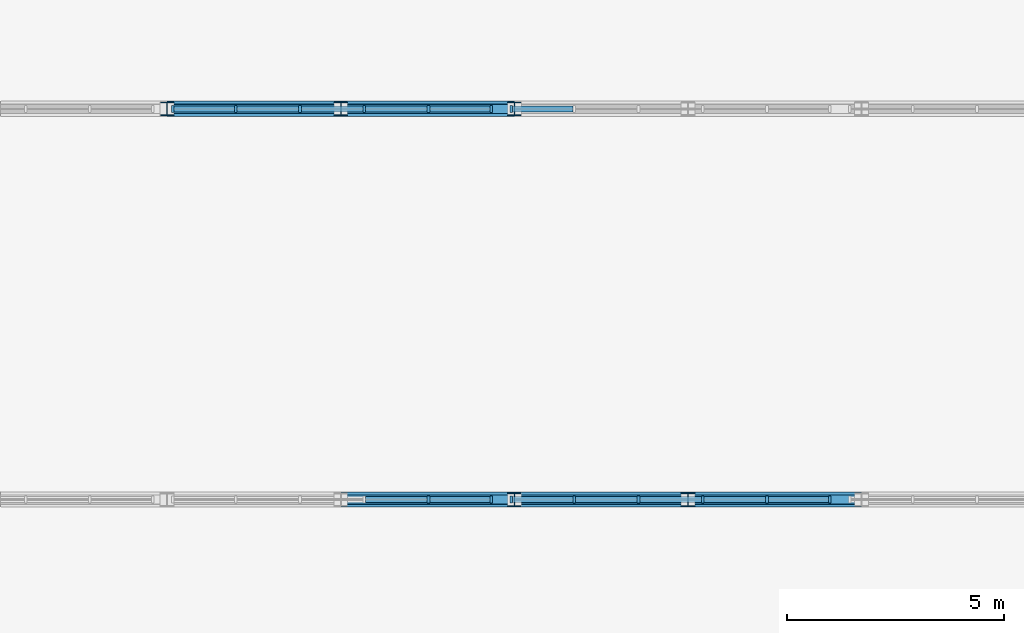
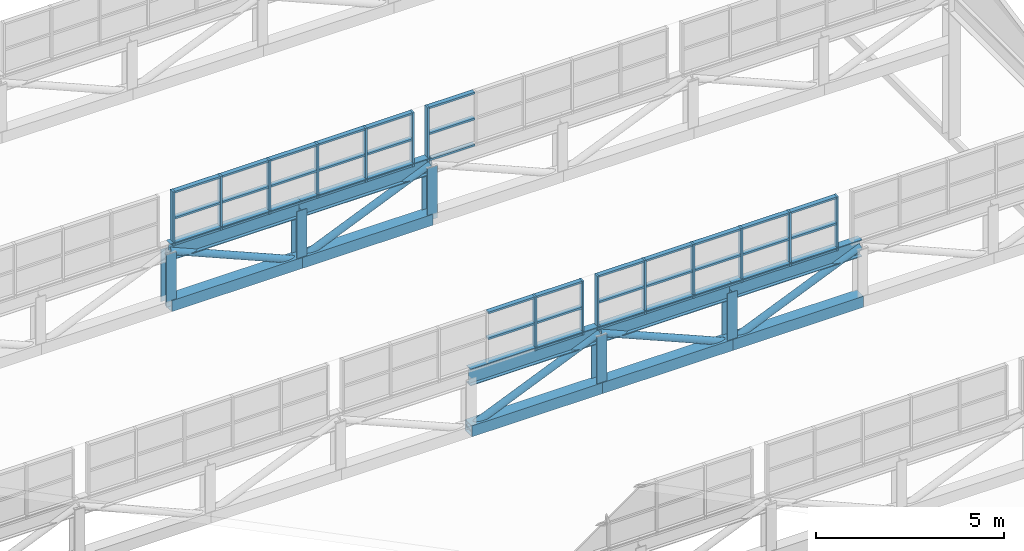
# One storey, part 90 of 159: 73 members, 4 elements without a shape of their own.
"""IFC4 building model written with IfcOpenShell, lengths in metres."""

from ifc_helpers import new_model, si_unit, direction, frame, origin, origin_2d, place, context, subcontext, project, spatial, rectangle, hollow_rectangle, hollow_circle, i_section, extrude, material, layer, layer_set, material_profile, profile_set, type_object, element, aggregate, save


model = new_model("IFC4")

# Units and contexts
model_context = context("Model", 3, precision=1e-05, world=origin(), true_north=direction((0.0, 1.0)))
body_context = subcontext(model_context, "Body", "Model", "MODEL_VIEW")
ifc_project = project(units=[si_unit("LENGTHUNIT", "METRE"), si_unit("AREAUNIT", "SQUARE_METRE"), si_unit("VOLUMEUNIT", "CUBIC_METRE"), si_unit("PLANEANGLEUNIT", "RADIAN"), si_unit("MASSUNIT", "GRAM", prefix="KILO")], contexts=[model_context])

# Site, building, storey
site_placement = place(None, origin())
site = spatial("IfcSite", under=ifc_project, at=site_placement, CompositionType="ELEMENT")
building_placement = place(site_placement, origin())
building = spatial("IfcBuilding", under=site, at=building_placement, Name="Cazmaro Siding Exhibition Halls", CompositionType="ELEMENT")
storey_placement = place(building_placement, frame((0.0, 0.0, 6.0)))
storey = spatial("IfcBuildingStorey", under=building, at=storey_placement, Name="L01", CompositionType="ELEMENT", Elevation=6.0)

# Curtain wall, members
ifc_material_1 = material(Name="Anodized Bronze Aluminum and Solar-Control Low-E Glazing", Category="aluminium")
ifc_layer = layer(ifc_material_1, 0.159912109375)
ifc_layer_set = layer_set([ifc_layer], Name="Anodized Bronze Aluminum and Solar-Control Low-E Glazing")
curtain_wall_type = type_object("IfcCurtainWallType", Name="CWS-04", PredefinedType="USERDEFINED", material=ifc_layer_set)
curtain_wall_1_placement = place(storey_placement, origin())
curtain_wall_1 = element("IfcCurtainWall", 1, at=curtain_wall_1_placement, inside=storey, type_object=curtain_wall_type, Name="Clerestory Curtain Wall CWS-04 CW-127", ObjectType="CLERESTORY CURTAIN WALL", PredefinedType="USERDEFINED")
ifc_material_2 = material(Name="Anodized Bronze Extruded Aluminum", Category="aluminium")
ifc_material_profile_1 = material_profile(ifc_material_2, rectangle(XDim=0.159912109375, YDim=0.06005859375, at=origin_2d()), Name="CWM-04")
ifc_profile_set_1 = profile_set([ifc_material_profile_1], Name="Anodized Bronze Extruded Aluminum")
member_type_1 = type_object("IfcMemberType", Name="CWM-04", PredefinedType="MULLION", material=ifc_profile_set_1)
member_1_placement = place(storey_placement, frame((199.469970703125, 100.0, 4.800048828125), z_axis=(0.0, 0.0, 1.0), x_axis=(0.0, -1.0, 0.0)))
member_1 = element("IfcMember", 2, at=member_1_placement, type_object=member_type_1, Name="CWS-04 mullion 1", PredefinedType="MULLION", context=body_context, shape_type="SweptSolid", body=[
    extrude(rectangle(XDim=0.159912109375, YDim=0.06005859375, at=origin_2d()), origin(), (0.0, 0.0, 1.0), 1.75),
])
member_2_placement = place(storey_placement, frame((198.02001953125, 100.0, 4.800048828125), z_axis=(0.0, 0.0, 1.0), x_axis=(0.0, -1.0, 0.0)))
member_2 = element("IfcMember", 3, at=member_2_placement, type_object=member_type_1, Name="CWS-04 mullion 2", PredefinedType="MULLION", context=body_context, shape_type="SweptSolid", body=[
    extrude(rectangle(XDim=0.159912109375, YDim=0.06005859375, at=origin_2d()), origin(), (0.0, 0.0, 1.0), 1.75),
])

curtain_wall_2_placement = place(storey_placement, origin())
curtain_wall_2 = element("IfcCurtainWall", 4, at=curtain_wall_2_placement, inside=storey, type_object=curtain_wall_type, Name="Clerestory Curtain Wall CWS-04 CW-128", ObjectType="CLERESTORY CURTAIN WALL", PredefinedType="USERDEFINED")
member_3_placement = place(storey_placement, frame((207.27001953125, 100.0, 4.800048828125), z_axis=(0.0, 0.0, 1.0), x_axis=(0.0, -1.0, 0.0)))
member_3 = element("IfcMember", 5, at=member_3_placement, type_object=member_type_1, Name="CWS-04 mullion 1", PredefinedType="MULLION", context=body_context, shape_type="SweptSolid", body=[
    extrude(rectangle(XDim=0.159912109375, YDim=0.06005859375, at=origin_2d()), origin(), (0.0, 0.0, 1.0), 1.75),
])
member_4_placement = place(storey_placement, frame((205.820068359375, 100.0, 4.800048828125), z_axis=(0.0, 0.0, 1.0), x_axis=(0.0, -1.0, 0.0)))
member_4 = element("IfcMember", 6, at=member_4_placement, type_object=member_type_1, Name="CWS-04 mullion 2", PredefinedType="MULLION", context=body_context, shape_type="SweptSolid", body=[
    extrude(rectangle(XDim=0.159912109375, YDim=0.06005859375, at=origin_2d()), origin(), (0.0, 0.0, 1.0), 1.75),
])
member_5_placement = place(storey_placement, frame((204.340087890625, 100.0, 4.800048828125), z_axis=(0.0, 0.0, 1.0), x_axis=(0.0, -1.0, 0.0)))
member_5 = element("IfcMember", 7, at=member_5_placement, type_object=member_type_1, Name="CWS-04 mullion 3", PredefinedType="MULLION", context=body_context, shape_type="SweptSolid", body=[
    extrude(rectangle(XDim=0.159912109375, YDim=0.06005859375, at=origin_2d()), origin(), (0.0, 0.0, 1.0), 1.75),
])
member_6_placement = place(storey_placement, frame((202.860107421875, 100.0, 4.800048828125), z_axis=(0.0, 0.0, 1.0), x_axis=(0.0, -1.0, 0.0)))
member_6 = element("IfcMember", 8, at=member_6_placement, type_object=member_type_1, Name="CWS-04 mullion 4", PredefinedType="MULLION", context=body_context, shape_type="SweptSolid", body=[
    extrude(rectangle(XDim=0.159912109375, YDim=0.06005859375, at=origin_2d()), origin(), (0.0, 0.0, 1.0), 1.75),
])
member_7_placement = place(storey_placement, frame((201.3798828125, 100.0, 4.800048828125), z_axis=(0.0, 0.0, 1.0), x_axis=(0.0, -1.0, 0.0)))
member_7 = element("IfcMember", 9, at=member_7_placement, type_object=member_type_1, Name="CWS-04 mullion 5", PredefinedType="MULLION", context=body_context, shape_type="SweptSolid", body=[
    extrude(rectangle(XDim=0.159912109375, YDim=0.06005859375, at=origin_2d()), origin(), (0.0, 0.0, 1.0), 1.75),
])
member_8_placement = place(storey_placement, frame((199.929931640625, 100.0, 4.800048828125), z_axis=(0.0, 0.0, 1.0), x_axis=(0.0, -1.0, 0.0)))
member_8 = element("IfcMember", 10, at=member_8_placement, type_object=member_type_1, Name="CWS-04 mullion 6", PredefinedType="MULLION", context=body_context, shape_type="SweptSolid", body=[
    extrude(rectangle(XDim=0.159912109375, YDim=0.06005859375, at=origin_2d()), origin(), (0.0, 0.0, 1.0), 1.75),
])

curtain_wall_3_placement = place(storey_placement, origin())
curtain_wall_3 = element("IfcCurtainWall", 11, at=curtain_wall_3_placement, inside=storey, type_object=curtain_wall_type, Name="Clerestory Curtain Wall CWS-04 CW-132", ObjectType="CLERESTORY CURTAIN WALL", PredefinedType="USERDEFINED")
member_9_placement = place(storey_placement, frame((199.469970703125, 109.0, 4.800048828125), z_axis=(0.0, 0.0, 1.0), x_axis=(0.0, -1.0, 0.0)))
member_9 = element("IfcMember", 12, at=member_9_placement, type_object=member_type_1, Name="CWS-04 mullion 1", PredefinedType="MULLION", context=body_context, shape_type="SweptSolid", body=[
    extrude(rectangle(XDim=0.159912109375, YDim=0.06005859375, at=origin_2d()), origin(), (0.0, 0.0, 1.0), 1.75),
])
member_10_placement = place(storey_placement, frame((198.02001953125, 109.0, 4.800048828125), z_axis=(0.0, 0.0, 1.0), x_axis=(0.0, -1.0, 0.0)))
member_10 = element("IfcMember", 13, at=member_10_placement, type_object=member_type_1, Name="CWS-04 mullion 2", PredefinedType="MULLION", context=body_context, shape_type="SweptSolid", body=[
    extrude(rectangle(XDim=0.159912109375, YDim=0.06005859375, at=origin_2d()), origin(), (0.0, 0.0, 1.0), 1.75),
])
member_11_placement = place(storey_placement, frame((196.5400390625, 109.0, 4.800048828125), z_axis=(0.0, 0.0, 1.0), x_axis=(0.0, -1.0, 0.0)))
member_11 = element("IfcMember", 14, at=member_11_placement, type_object=member_type_1, Name="CWS-04 mullion 3", PredefinedType="MULLION", context=body_context, shape_type="SweptSolid", body=[
    extrude(rectangle(XDim=0.159912109375, YDim=0.06005859375, at=origin_2d()), origin(), (0.0, 0.0, 1.0), 1.75),
])
member_12_placement = place(storey_placement, frame((195.06005859375, 109.0, 4.800048828125), z_axis=(0.0, 0.0, 1.0), x_axis=(0.0, -1.0, 0.0)))
member_12 = element("IfcMember", 15, at=member_12_placement, type_object=member_type_1, Name="CWS-04 mullion 4", PredefinedType="MULLION", context=body_context, shape_type="SweptSolid", body=[
    extrude(rectangle(XDim=0.159912109375, YDim=0.06005859375, at=origin_2d()), origin(), (0.0, 0.0, 1.0), 1.75),
])
member_13_placement = place(storey_placement, frame((193.580078125, 109.0, 4.800048828125), z_axis=(0.0, 0.0, 1.0), x_axis=(0.0, -1.0, 0.0)))
member_13 = element("IfcMember", 16, at=member_13_placement, type_object=member_type_1, Name="CWS-04 mullion 5", PredefinedType="MULLION", context=body_context, shape_type="SweptSolid", body=[
    extrude(rectangle(XDim=0.159912109375, YDim=0.06005859375, at=origin_2d()), origin(), (0.0, 0.0, 1.0), 1.75),
])
member_14_placement = place(storey_placement, frame((192.1298828125, 109.0, 4.800048828125), z_axis=(0.0, 0.0, 1.0), x_axis=(0.0, -1.0, 0.0)))
member_14 = element("IfcMember", 17, at=member_14_placement, type_object=member_type_1, Name="CWS-04 mullion 6", PredefinedType="MULLION", context=body_context, shape_type="SweptSolid", body=[
    extrude(rectangle(XDim=0.159912109375, YDim=0.06005859375, at=origin_2d()), origin(), (0.0, 0.0, 1.0), 1.75),
])

# Curtain wall, member
curtain_wall_4_placement = place(storey_placement, origin())
curtain_wall_4 = element("IfcCurtainWall", 18, at=curtain_wall_4_placement, inside=storey, type_object=curtain_wall_type, Name="Clerestory Curtain Wall CWS-04 CW-133", ObjectType="CLERESTORY CURTAIN WALL", PredefinedType="USERDEFINED")
member_15_placement = place(storey_placement, frame((199.929931640625, 109.0, 4.800048828125), z_axis=(0.0, 0.0, 1.0), x_axis=(0.0, -1.0, 0.0)))
member_15 = element("IfcMember", 19, at=member_15_placement, type_object=member_type_1, Name="CWS-04 mullion 6", PredefinedType="MULLION", context=body_context, shape_type="SweptSolid", body=[
    extrude(rectangle(XDim=0.159912109375, YDim=0.06005859375, at=origin_2d()), origin(), (0.0, 0.0, 1.0), 1.75),
])

# Member
ifc_material_3 = material(Name="Anodized Bronze Extruded Aluminum", Category="aluminium")
ifc_material_profile_2 = material_profile(ifc_material_3, rectangle(XDim=0.139892578125, YDim=0.06005859375, at=origin_2d()), Name="CWT-04")
ifc_profile_set_2 = profile_set([ifc_material_profile_2], Name="Anodized Bronze Extruded Aluminum")
member_type_2 = type_object("IfcMemberType", Name="CWT-04", PredefinedType="MULLION", material=ifc_profile_set_2)
member_16_placement = place(storey_placement, frame((199.43994140625, 100.0, 4.830078125), z_axis=(-1.0, 0.0, 0.0), x_axis=(0.0, -1.0, 0.0)))
member_16 = element("IfcMember", 20, at=member_16_placement, type_object=member_type_2, Name="CWS-04 transom 1.1", ObjectType="TRANSOM", PredefinedType="USERDEFINED", context=body_context, shape_type="SweptSolid", body=[
    extrude(rectangle(XDim=0.139892578125, YDim=0.06005859375, at=origin_2d()), origin(), (0.0, 0.0, 1.0), 1.389892578125),
])

member_17_placement = place(storey_placement, frame((199.43994140625, 100.0, 5.679931640625), z_axis=(-1.0, 0.0, 0.0), x_axis=(0.0, -1.0, 0.0)))
member_17 = element("IfcMember", 21, at=member_17_placement, type_object=member_type_2, Name="CWS-04 transom 1.2", ObjectType="TRANSOM", PredefinedType="USERDEFINED", context=body_context, shape_type="SweptSolid", body=[
    extrude(rectangle(XDim=0.139892578125, YDim=0.06005859375, at=origin_2d()), origin(), (0.0, 0.0, 1.0), 1.389892578125),
])

member_18_placement = place(storey_placement, frame((199.43994140625, 100.0, 6.52001953125), z_axis=(-1.0, 0.0, 0.0), x_axis=(0.0, -1.0, 0.0)))
member_18 = element("IfcMember", 22, at=member_18_placement, type_object=member_type_2, Name="CWS-04 transom 1.3", ObjectType="TRANSOM", PredefinedType="USERDEFINED", context=body_context, shape_type="SweptSolid", body=[
    extrude(rectangle(XDim=0.139892578125, YDim=0.06005859375, at=origin_2d()), origin(), (0.0, 0.0, 1.0), 1.389892578125),
])

member_19_placement = place(storey_placement, frame((197.989990234375, 100.0, 5.679931640625), z_axis=(-1.0, 0.0, 0.0), x_axis=(0.0, -1.0, 0.0)))
member_19 = element("IfcMember", 23, at=member_19_placement, type_object=member_type_2, Name="CWS-04 transom 2.2", ObjectType="TRANSOM", PredefinedType="USERDEFINED", context=body_context, shape_type="SweptSolid", body=[
    extrude(rectangle(XDim=0.139892578125, YDim=0.06005859375, at=origin_2d()), origin(), (0.0, 0.0, 1.0), 1.419921875),
])

member_20_placement = place(storey_placement, frame((197.989990234375, 100.0, 6.52001953125), z_axis=(-1.0, 0.0, 0.0), x_axis=(0.0, -1.0, 0.0)))
member_20 = element("IfcMember", 24, at=member_20_placement, type_object=member_type_2, Name="CWS-04 transom 2.3", ObjectType="TRANSOM", PredefinedType="USERDEFINED", context=body_context, shape_type="SweptSolid", body=[
    extrude(rectangle(XDim=0.139892578125, YDim=0.06005859375, at=origin_2d()), origin(), (0.0, 0.0, 1.0), 1.419921875),
])

aggregate(curtain_wall_1, [member_1, member_2, member_16, member_17, member_18, member_19, member_20])

member_21_placement = place(storey_placement, frame((207.239990234375, 100.0, 4.830078125), z_axis=(-1.0, 0.0, 0.0), x_axis=(0.0, -1.0, 0.0)))
member_21 = element("IfcMember", 25, at=member_21_placement, type_object=member_type_2, Name="CWS-04 transom 1.1", ObjectType="TRANSOM", PredefinedType="USERDEFINED", context=body_context, shape_type="SweptSolid", body=[
    extrude(rectangle(XDim=0.139892578125, YDim=0.06005859375, at=origin_2d()), origin(), (0.0, 0.0, 1.0), 1.389892578125),
])

member_22_placement = place(storey_placement, frame((207.239990234375, 100.0, 5.679931640625), z_axis=(-1.0, 0.0, 0.0), x_axis=(0.0, -1.0, 0.0)))
member_22 = element("IfcMember", 26, at=member_22_placement, type_object=member_type_2, Name="CWS-04 transom 1.2", ObjectType="TRANSOM", PredefinedType="USERDEFINED", context=body_context, shape_type="SweptSolid", body=[
    extrude(rectangle(XDim=0.139892578125, YDim=0.06005859375, at=origin_2d()), origin(), (0.0, 0.0, 1.0), 1.389892578125),
])

member_23_placement = place(storey_placement, frame((207.239990234375, 100.0, 6.52001953125), z_axis=(-1.0, 0.0, 0.0), x_axis=(0.0, -1.0, 0.0)))
member_23 = element("IfcMember", 27, at=member_23_placement, type_object=member_type_2, Name="CWS-04 transom 1.3", ObjectType="TRANSOM", PredefinedType="USERDEFINED", context=body_context, shape_type="SweptSolid", body=[
    extrude(rectangle(XDim=0.139892578125, YDim=0.06005859375, at=origin_2d()), origin(), (0.0, 0.0, 1.0), 1.389892578125),
])

member_24_placement = place(storey_placement, frame((205.7900390625, 100.0, 4.830078125), z_axis=(-1.0, 0.0, 0.0), x_axis=(0.0, -1.0, 0.0)))
member_24 = element("IfcMember", 28, at=member_24_placement, type_object=member_type_2, Name="CWS-04 transom 2.1", ObjectType="TRANSOM", PredefinedType="USERDEFINED", context=body_context, shape_type="SweptSolid", body=[
    extrude(rectangle(XDim=0.139892578125, YDim=0.06005859375, at=origin_2d()), origin(), (0.0, 0.0, 1.0), 1.419921875),
])

member_25_placement = place(storey_placement, frame((205.7900390625, 100.0, 5.679931640625), z_axis=(-1.0, 0.0, 0.0), x_axis=(0.0, -1.0, 0.0)))
member_25 = element("IfcMember", 29, at=member_25_placement, type_object=member_type_2, Name="CWS-04 transom 2.2", ObjectType="TRANSOM", PredefinedType="USERDEFINED", context=body_context, shape_type="SweptSolid", body=[
    extrude(rectangle(XDim=0.139892578125, YDim=0.06005859375, at=origin_2d()), origin(), (0.0, 0.0, 1.0), 1.419921875),
])

member_26_placement = place(storey_placement, frame((205.7900390625, 100.0, 6.52001953125), z_axis=(-1.0, 0.0, 0.0), x_axis=(0.0, -1.0, 0.0)))
member_26 = element("IfcMember", 30, at=member_26_placement, type_object=member_type_2, Name="CWS-04 transom 2.3", ObjectType="TRANSOM", PredefinedType="USERDEFINED", context=body_context, shape_type="SweptSolid", body=[
    extrude(rectangle(XDim=0.139892578125, YDim=0.06005859375, at=origin_2d()), origin(), (0.0, 0.0, 1.0), 1.419921875),
])

member_27_placement = place(storey_placement, frame((204.31005859375, 100.0, 4.830078125), z_axis=(-1.0, 0.0, 0.0), x_axis=(0.0, -1.0, 0.0)))
member_27 = element("IfcMember", 31, at=member_27_placement, type_object=member_type_2, Name="CWS-04 transom 3.1", ObjectType="TRANSOM", PredefinedType="USERDEFINED", context=body_context, shape_type="SweptSolid", body=[
    extrude(rectangle(XDim=0.139892578125, YDim=0.06005859375, at=origin_2d()), origin(), (0.0, 0.0, 1.0), 1.420166015625),
])

member_28_placement = place(storey_placement, frame((204.31005859375, 100.0, 5.679931640625), z_axis=(-1.0, 0.0, 0.0), x_axis=(0.0, -1.0, 0.0)))
member_28 = element("IfcMember", 32, at=member_28_placement, type_object=member_type_2, Name="CWS-04 transom 3.2", ObjectType="TRANSOM", PredefinedType="USERDEFINED", context=body_context, shape_type="SweptSolid", body=[
    extrude(rectangle(XDim=0.139892578125, YDim=0.06005859375, at=origin_2d()), origin(), (0.0, 0.0, 1.0), 1.420166015625),
])

member_29_placement = place(storey_placement, frame((204.31005859375, 100.0, 6.52001953125), z_axis=(-1.0, 0.0, 0.0), x_axis=(0.0, -1.0, 0.0)))
member_29 = element("IfcMember", 33, at=member_29_placement, type_object=member_type_2, Name="CWS-04 transom 3.3", ObjectType="TRANSOM", PredefinedType="USERDEFINED", context=body_context, shape_type="SweptSolid", body=[
    extrude(rectangle(XDim=0.139892578125, YDim=0.06005859375, at=origin_2d()), origin(), (0.0, 0.0, 1.0), 1.420166015625),
])

member_30_placement = place(storey_placement, frame((202.830078125, 100.0, 4.830078125), z_axis=(-1.0, 0.0, 0.0), x_axis=(0.0, -1.0, 0.0)))
member_30 = element("IfcMember", 34, at=member_30_placement, type_object=member_type_2, Name="CWS-04 transom 4.1", ObjectType="TRANSOM", PredefinedType="USERDEFINED", context=body_context, shape_type="SweptSolid", body=[
    extrude(rectangle(XDim=0.139892578125, YDim=0.06005859375, at=origin_2d()), origin(), (0.0, 0.0, 1.0), 1.420166015625),
])

member_31_placement = place(storey_placement, frame((202.830078125, 100.0, 5.679931640625), z_axis=(-1.0, 0.0, 0.0), x_axis=(0.0, -1.0, 0.0)))
member_31 = element("IfcMember", 35, at=member_31_placement, type_object=member_type_2, Name="CWS-04 transom 4.2", ObjectType="TRANSOM", PredefinedType="USERDEFINED", context=body_context, shape_type="SweptSolid", body=[
    extrude(rectangle(XDim=0.139892578125, YDim=0.06005859375, at=origin_2d()), origin(), (0.0, 0.0, 1.0), 1.420166015625),
])

member_32_placement = place(storey_placement, frame((202.830078125, 100.0, 6.52001953125), z_axis=(-1.0, 0.0, 0.0), x_axis=(0.0, -1.0, 0.0)))
member_32 = element("IfcMember", 36, at=member_32_placement, type_object=member_type_2, Name="CWS-04 transom 4.3", ObjectType="TRANSOM", PredefinedType="USERDEFINED", context=body_context, shape_type="SweptSolid", body=[
    extrude(rectangle(XDim=0.139892578125, YDim=0.06005859375, at=origin_2d()), origin(), (0.0, 0.0, 1.0), 1.420166015625),
])

member_33_placement = place(storey_placement, frame((201.35009765625, 100.0, 4.830078125), z_axis=(-1.0, 0.0, 0.0), x_axis=(0.0, -1.0, 0.0)))
member_33 = element("IfcMember", 37, at=member_33_placement, type_object=member_type_2, Name="CWS-04 transom 5.1", ObjectType="TRANSOM", PredefinedType="USERDEFINED", context=body_context, shape_type="SweptSolid", body=[
    extrude(rectangle(XDim=0.139892578125, YDim=0.06005859375, at=origin_2d()), origin(), (0.0, 0.0, 1.0), 1.39013671875),
])

member_34_placement = place(storey_placement, frame((201.35009765625, 100.0, 5.679931640625), z_axis=(-1.0, 0.0, 0.0), x_axis=(0.0, -1.0, 0.0)))
member_34 = element("IfcMember", 38, at=member_34_placement, type_object=member_type_2, Name="CWS-04 transom 5.2", ObjectType="TRANSOM", PredefinedType="USERDEFINED", context=body_context, shape_type="SweptSolid", body=[
    extrude(rectangle(XDim=0.139892578125, YDim=0.06005859375, at=origin_2d()), origin(), (0.0, 0.0, 1.0), 1.39013671875),
])

member_35_placement = place(storey_placement, frame((201.35009765625, 100.0, 6.52001953125), z_axis=(-1.0, 0.0, 0.0), x_axis=(0.0, -1.0, 0.0)))
member_35 = element("IfcMember", 39, at=member_35_placement, type_object=member_type_2, Name="CWS-04 transom 5.3", ObjectType="TRANSOM", PredefinedType="USERDEFINED", context=body_context, shape_type="SweptSolid", body=[
    extrude(rectangle(XDim=0.139892578125, YDim=0.06005859375, at=origin_2d()), origin(), (0.0, 0.0, 1.0), 1.39013671875),
])

aggregate(curtain_wall_2, [member_3, member_4, member_5, member_6, member_7, member_8, member_21, member_22, member_23, member_24, member_25, member_26, member_27, member_28, member_29, member_30, member_31, member_32, member_33, member_34, member_35])

member_36_placement = place(storey_placement, frame((199.43994140625, 109.0, 4.830078125), z_axis=(-1.0, 0.0, 0.0), x_axis=(0.0, -1.0, 0.0)))
member_36 = element("IfcMember", 40, at=member_36_placement, type_object=member_type_2, Name="CWS-04 transom 1.1", ObjectType="TRANSOM", PredefinedType="USERDEFINED", context=body_context, shape_type="SweptSolid", body=[
    extrude(rectangle(XDim=0.139892578125, YDim=0.06005859375, at=origin_2d()), origin(), (0.0, 0.0, 1.0), 1.389892578125),
])

member_37_placement = place(storey_placement, frame((199.43994140625, 109.0, 5.679931640625), z_axis=(-1.0, 0.0, 0.0), x_axis=(0.0, -1.0, 0.0)))
member_37 = element("IfcMember", 41, at=member_37_placement, type_object=member_type_2, Name="CWS-04 transom 1.2", ObjectType="TRANSOM", PredefinedType="USERDEFINED", context=body_context, shape_type="SweptSolid", body=[
    extrude(rectangle(XDim=0.139892578125, YDim=0.06005859375, at=origin_2d()), origin(), (0.0, 0.0, 1.0), 1.389892578125),
])

member_38_placement = place(storey_placement, frame((199.43994140625, 109.0, 6.52001953125), z_axis=(-1.0, 0.0, 0.0), x_axis=(0.0, -1.0, 0.0)))
member_38 = element("IfcMember", 42, at=member_38_placement, type_object=member_type_2, Name="CWS-04 transom 1.3", ObjectType="TRANSOM", PredefinedType="USERDEFINED", context=body_context, shape_type="SweptSolid", body=[
    extrude(rectangle(XDim=0.139892578125, YDim=0.06005859375, at=origin_2d()), origin(), (0.0, 0.0, 1.0), 1.389892578125),
])

member_39_placement = place(storey_placement, frame((197.989990234375, 109.0, 4.830078125), z_axis=(-1.0, 0.0, 0.0), x_axis=(0.0, -1.0, 0.0)))
member_39 = element("IfcMember", 43, at=member_39_placement, type_object=member_type_2, Name="CWS-04 transom 2.1", ObjectType="TRANSOM", PredefinedType="USERDEFINED", context=body_context, shape_type="SweptSolid", body=[
    extrude(rectangle(XDim=0.139892578125, YDim=0.06005859375, at=origin_2d()), origin(), (0.0, 0.0, 1.0), 1.419921875),
])

member_40_placement = place(storey_placement, frame((197.989990234375, 109.0, 5.679931640625), z_axis=(-1.0, 0.0, 0.0), x_axis=(0.0, -1.0, 0.0)))
member_40 = element("IfcMember", 44, at=member_40_placement, type_object=member_type_2, Name="CWS-04 transom 2.2", ObjectType="TRANSOM", PredefinedType="USERDEFINED", context=body_context, shape_type="SweptSolid", body=[
    extrude(rectangle(XDim=0.139892578125, YDim=0.06005859375, at=origin_2d()), origin(), (0.0, 0.0, 1.0), 1.419921875),
])

member_41_placement = place(storey_placement, frame((197.989990234375, 109.0, 6.52001953125), z_axis=(-1.0, 0.0, 0.0), x_axis=(0.0, -1.0, 0.0)))
member_41 = element("IfcMember", 45, at=member_41_placement, type_object=member_type_2, Name="CWS-04 transom 2.3", ObjectType="TRANSOM", PredefinedType="USERDEFINED", context=body_context, shape_type="SweptSolid", body=[
    extrude(rectangle(XDim=0.139892578125, YDim=0.06005859375, at=origin_2d()), origin(), (0.0, 0.0, 1.0), 1.419921875),
])

member_42_placement = place(storey_placement, frame((196.510009765625, 109.0, 4.830078125), z_axis=(-1.0, 0.0, 0.0), x_axis=(0.0, -1.0, 0.0)))
member_42 = element("IfcMember", 46, at=member_42_placement, type_object=member_type_2, Name="CWS-04 transom 3.1", ObjectType="TRANSOM", PredefinedType="USERDEFINED", context=body_context, shape_type="SweptSolid", body=[
    extrude(rectangle(XDim=0.139892578125, YDim=0.06005859375, at=origin_2d()), origin(), (0.0, 0.0, 1.0), 1.419921875),
])

member_43_placement = place(storey_placement, frame((196.510009765625, 109.0, 5.679931640625), z_axis=(-1.0, 0.0, 0.0), x_axis=(0.0, -1.0, 0.0)))
member_43 = element("IfcMember", 47, at=member_43_placement, type_object=member_type_2, Name="CWS-04 transom 3.2", ObjectType="TRANSOM", PredefinedType="USERDEFINED", context=body_context, shape_type="SweptSolid", body=[
    extrude(rectangle(XDim=0.139892578125, YDim=0.06005859375, at=origin_2d()), origin(), (0.0, 0.0, 1.0), 1.419921875),
])

member_44_placement = place(storey_placement, frame((196.510009765625, 109.0, 6.52001953125), z_axis=(-1.0, 0.0, 0.0), x_axis=(0.0, -1.0, 0.0)))
member_44 = element("IfcMember", 48, at=member_44_placement, type_object=member_type_2, Name="CWS-04 transom 3.3", ObjectType="TRANSOM", PredefinedType="USERDEFINED", context=body_context, shape_type="SweptSolid", body=[
    extrude(rectangle(XDim=0.139892578125, YDim=0.06005859375, at=origin_2d()), origin(), (0.0, 0.0, 1.0), 1.419921875),
])

member_45_placement = place(storey_placement, frame((195.030029296875, 109.0, 4.830078125), z_axis=(-1.0, 0.0, 0.0), x_axis=(0.0, -1.0, 0.0)))
member_45 = element("IfcMember", 49, at=member_45_placement, type_object=member_type_2, Name="CWS-04 transom 4.1", ObjectType="TRANSOM", PredefinedType="USERDEFINED", context=body_context, shape_type="SweptSolid", body=[
    extrude(rectangle(XDim=0.139892578125, YDim=0.06005859375, at=origin_2d()), origin(), (0.0, 0.0, 1.0), 1.419921875),
])

member_46_placement = place(storey_placement, frame((195.030029296875, 109.0, 5.679931640625), z_axis=(-1.0, 0.0, 0.0), x_axis=(0.0, -1.0, 0.0)))
member_46 = element("IfcMember", 50, at=member_46_placement, type_object=member_type_2, Name="CWS-04 transom 4.2", ObjectType="TRANSOM", PredefinedType="USERDEFINED", context=body_context, shape_type="SweptSolid", body=[
    extrude(rectangle(XDim=0.139892578125, YDim=0.06005859375, at=origin_2d()), origin(), (0.0, 0.0, 1.0), 1.419921875),
])

member_47_placement = place(storey_placement, frame((195.030029296875, 109.0, 6.52001953125), z_axis=(-1.0, 0.0, 0.0), x_axis=(0.0, -1.0, 0.0)))
member_47 = element("IfcMember", 51, at=member_47_placement, type_object=member_type_2, Name="CWS-04 transom 4.3", ObjectType="TRANSOM", PredefinedType="USERDEFINED", context=body_context, shape_type="SweptSolid", body=[
    extrude(rectangle(XDim=0.139892578125, YDim=0.06005859375, at=origin_2d()), origin(), (0.0, 0.0, 1.0), 1.419921875),
])

member_48_placement = place(storey_placement, frame((193.550048828125, 109.0, 4.830078125), z_axis=(-1.0, 0.0, 0.0), x_axis=(0.0, -1.0, 0.0)))
member_48 = element("IfcMember", 52, at=member_48_placement, type_object=member_type_2, Name="CWS-04 transom 5.1", ObjectType="TRANSOM", PredefinedType="USERDEFINED", context=body_context, shape_type="SweptSolid", body=[
    extrude(rectangle(XDim=0.139892578125, YDim=0.06005859375, at=origin_2d()), origin(), (0.0, 0.0, 1.0), 1.39013671875),
])

member_49_placement = place(storey_placement, frame((193.550048828125, 109.0, 5.679931640625), z_axis=(-1.0, 0.0, 0.0), x_axis=(0.0, -1.0, 0.0)))
member_49 = element("IfcMember", 53, at=member_49_placement, type_object=member_type_2, Name="CWS-04 transom 5.2", ObjectType="TRANSOM", PredefinedType="USERDEFINED", context=body_context, shape_type="SweptSolid", body=[
    extrude(rectangle(XDim=0.139892578125, YDim=0.06005859375, at=origin_2d()), origin(), (0.0, 0.0, 1.0), 1.39013671875),
])

member_50_placement = place(storey_placement, frame((193.550048828125, 109.0, 6.52001953125), z_axis=(-1.0, 0.0, 0.0), x_axis=(0.0, -1.0, 0.0)))
member_50 = element("IfcMember", 54, at=member_50_placement, type_object=member_type_2, Name="CWS-04 transom 5.3", ObjectType="TRANSOM", PredefinedType="USERDEFINED", context=body_context, shape_type="SweptSolid", body=[
    extrude(rectangle(XDim=0.139892578125, YDim=0.06005859375, at=origin_2d()), origin(), (0.0, 0.0, 1.0), 1.39013671875),
])

aggregate(curtain_wall_3, [member_9, member_10, member_11, member_12, member_13, member_14, member_36, member_37, member_38, member_39, member_40, member_41, member_42, member_43, member_44, member_45, member_46, member_47, member_48, member_49, member_50])

member_51_placement = place(storey_placement, frame((201.35009765625, 109.0, 4.830078125), z_axis=(-1.0, 0.0, 0.0), x_axis=(0.0, -1.0, 0.0)))
member_51 = element("IfcMember", 55, at=member_51_placement, type_object=member_type_2, Name="CWS-04 transom 5.1", ObjectType="TRANSOM", PredefinedType="USERDEFINED", context=body_context, shape_type="SweptSolid", body=[
    extrude(rectangle(XDim=0.139892578125, YDim=0.06005859375, at=origin_2d()), origin(), (0.0, 0.0, 1.0), 1.39013671875),
])

member_52_placement = place(storey_placement, frame((201.35009765625, 109.0, 5.679931640625), z_axis=(-1.0, 0.0, 0.0), x_axis=(0.0, -1.0, 0.0)))
member_52 = element("IfcMember", 56, at=member_52_placement, type_object=member_type_2, Name="CWS-04 transom 5.2", ObjectType="TRANSOM", PredefinedType="USERDEFINED", context=body_context, shape_type="SweptSolid", body=[
    extrude(rectangle(XDim=0.139892578125, YDim=0.06005859375, at=origin_2d()), origin(), (0.0, 0.0, 1.0), 1.39013671875),
])

member_53_placement = place(storey_placement, frame((201.35009765625, 109.0, 6.52001953125), z_axis=(-1.0, 0.0, 0.0), x_axis=(0.0, -1.0, 0.0)))
member_53 = element("IfcMember", 57, at=member_53_placement, type_object=member_type_2, Name="CWS-04 transom 5.3", ObjectType="TRANSOM", PredefinedType="USERDEFINED", context=body_context, shape_type="SweptSolid", body=[
    extrude(rectangle(XDim=0.139892578125, YDim=0.06005859375, at=origin_2d()), origin(), (0.0, 0.0, 1.0), 1.39013671875),
])

aggregate(curtain_wall_4, [member_15, member_51, member_52, member_53])

# Members
ifc_material_4 = material(Name="Steel ASTM A992 Grade 50", Category="steel")
ifc_material_profile_3 = material_profile(ifc_material_4, i_section(OverallWidth=0.214111328125, OverallDepth=0.549072265625, WebThickness=0.014892578125, FlangeThickness=0.02392578125, at=origin_2d()), Name="W21X93")
ifc_profile_set_3 = profile_set([ifc_material_profile_3], Name="Steel ASTM A992 Grade 50")
member_type_3 = type_object("IfcMemberType", Name="TC-04", PredefinedType="CHORD", material=ifc_profile_set_3)
for number, where, z_axis, x_axis, name in (
    (58, (196.0, 100.0, 4.64990234375), (1.0, 0.0, 0.0), (0.0, 1.0, 0.0), "Sawtooth truss top chord TC-04 MEM-3142"),
    (59, (200.0, 100.0, 4.64990234375), (1.0, 0.0, 0.0), (0.0, 1.0, 0.0), "Sawtooth truss top chord TC-04 MEM-3145"),
    (60, (204.0, 100.0, 4.64990234375), (1.0, 0.0, 0.0), (0.0, 1.0, 0.0), "Sawtooth truss top chord TC-04 MEM-3148"),
    (61, (192.0, 109.0, 4.64990234375), (1.0, 0.0, 0.0), (0.0, 1.0, 0.0), "Sawtooth truss top chord TC-04 MEM-3178"),
    (62, (196.0, 109.0, 4.64990234375), (1.0, 0.0, 0.0), (0.0, 1.0, 0.0), "Sawtooth truss top chord TC-04 MEM-3181"),
):
    element("IfcMember", number, at=place(storey_placement, frame(where, z_axis=z_axis, x_axis=x_axis)), inside=storey, type_object=member_type_3, Name=name, PredefinedType="CHORD", context=body_context, shape_type="SweptSolid", body=[
        extrude(i_section(OverallWidth=0.214111328125, OverallDepth=0.549072265625, WebThickness=0.014892578125, FlangeThickness=0.02392578125, at=origin_2d()), origin(), (0.0, 0.0, 1.0), 4.0),
    ])
ifc_material_5 = material(Name="Steel ASTM A500 Grade C", Category="steel")
ifc_material_profile_4 = material_profile(ifc_material_5, hollow_rectangle(XDim=0.35595703125, YDim=0.35595703125, WallThickness=0.014892578125, at=origin_2d()), Name="HSS14X14X5/8")
ifc_profile_set_4 = profile_set([ifc_material_profile_4], Name="Steel ASTM A500 Grade C")
member_type_4 = type_object("IfcMemberType", Name="TC-05", PredefinedType="CHORD", material=ifc_profile_set_4)
for number, where, z_axis, x_axis, name in (
    (63, (196.0, 100.0, 2.949951171875), (1.0, 0.0, 0.0), (0.0, 1.0, 0.0), "Sawtooth truss bottom chord TC-05 MEM-3143"),
    (64, (200.0, 100.0, 2.949951171875), (1.0, 0.0, 0.0), (0.0, 1.0, 0.0), "Sawtooth truss bottom chord TC-05 MEM-3146"),
    (65, (204.0, 100.0, 2.949951171875), (1.0, 0.0, 0.0), (0.0, 1.0, 0.0), "Sawtooth truss bottom chord TC-05 MEM-3149"),
    (66, (192.0, 109.0, 2.949951171875), (1.0, 0.0, 0.0), (0.0, 1.0, 0.0), "Sawtooth truss bottom chord TC-05 MEM-3179"),
    (67, (196.0, 109.0, 2.949951171875), (1.0, 0.0, 0.0), (0.0, 1.0, 0.0), "Sawtooth truss bottom chord TC-05 MEM-3182"),
):
    element("IfcMember", number, at=place(storey_placement, frame(where, z_axis=z_axis, x_axis=x_axis)), inside=storey, type_object=member_type_4, Name=name, PredefinedType="CHORD", context=body_context, shape_type="SweptSolid", body=[
        extrude(hollow_rectangle(XDim=0.35595703125, YDim=0.35595703125, WallThickness=0.014892578125, at=origin_2d()), origin(), (0.0, 0.0, 1.0), 4.0),
    ])
ifc_material_6 = material(Name="Steel ASTM A992 Grade 50", Category="steel")
ifc_material_profile_5 = material_profile(ifc_material_6, i_section(OverallWidth=0.304931640625, OverallDepth=0.306884765625, WebThickness=0.010009765625, FlangeThickness=0.014892578125, at=origin_2d()), Name="W12X65")
ifc_profile_set_5 = profile_set([ifc_material_profile_5], Name="Steel ASTM A992 Grade 50")
member_type_5 = type_object("IfcMemberType", Name="TP-03", PredefinedType="POST", material=ifc_profile_set_5)
for number, where, z_axis, x_axis, name in (
    (68, (200.0, 100.0, 2.949951171875), (0.0, 0.0, 1.0), (1.0, 0.0, 0.0), "Sawtooth truss post TP-03 MEM-3162"),
    (69, (204.0, 100.0, 2.949951171875), (0.0, 0.0, 1.0), (1.0, 0.0, 0.0), "Sawtooth truss post TP-03 MEM-3163"),
    (70, (192.0, 109.0, 2.949951171875), (0.0, 0.0, 1.0), (1.0, 0.0, 0.0), "Sawtooth truss post TP-03 MEM-3199"),
    (71, (196.0, 109.0, 2.949951171875), (0.0, 0.0, 1.0), (1.0, 0.0, 0.0), "Sawtooth truss post TP-03 MEM-3200"),
    (72, (200.0, 109.0, 2.949951171875), (0.0, 0.0, 1.0), (1.0, 0.0, 0.0), "Sawtooth truss post TP-03 MEM-3201"),
):
    element("IfcMember", number, at=place(storey_placement, frame(where, z_axis=z_axis, x_axis=x_axis)), inside=storey, type_object=member_type_5, Name=name, PredefinedType="POST", context=body_context, shape_type="SweptSolid", body=[
        extrude(i_section(OverallWidth=0.304931640625, OverallDepth=0.306884765625, WebThickness=0.010009765625, FlangeThickness=0.014892578125, at=origin_2d()), origin(), (0.0, 0.0, 1.0), 1.699951171875),
    ])
ifc_material_7 = material(Name="Steel ASTM A500 Grade C", Category="steel")
ifc_material_profile_6 = material_profile(ifc_material_7, hollow_circle(Radius=0.109619140625, WallThickness=0.012939453125, at=origin_2d()), Name="PIPE8XS")
ifc_profile_set_6 = profile_set([ifc_material_profile_6], Name="Steel ASTM A500 Grade C")
member_type_6 = type_object("IfcMemberType", Name="WB-01", PredefinedType="BRACE", material=ifc_profile_set_6)
for number, where, z_axis, x_axis, name in (
    (73, (196.0, 100.0, 2.949951171875), (0.920334962612, 0.0, 0.391131124553), (0.0, 1.0, 0.0), "Sawtooth truss diagonal WB-01 MEM-3144"),
    (74, (200.0, 100.0, 4.64990234375), (0.920334962612, 0.0, -0.391131124553), (0.0, 1.0, 0.0), "Sawtooth truss diagonal WB-01 MEM-3147"),
    (75, (204.0, 100.0, 2.949951171875), (0.920334962612, 0.0, 0.391131124553), (0.0, 1.0, 0.0), "Sawtooth truss diagonal WB-01 MEM-3150"),
    (76, (192.0, 109.0, 4.64990234375), (0.920334962612, 0.0, -0.391131124553), (0.0, 1.0, 0.0), "Sawtooth truss diagonal WB-01 MEM-3180"),
    (77, (196.0, 109.0, 2.949951171875), (0.920334962612, 0.0, 0.391131124553), (0.0, 1.0, 0.0), "Sawtooth truss diagonal WB-01 MEM-3183"),
):
    element("IfcMember", number, at=place(storey_placement, frame(where, z_axis=z_axis, x_axis=x_axis)), inside=storey, type_object=member_type_6, Name=name, PredefinedType="BRACE", context=body_context, shape_type="SweptSolid", body=[
        extrude(hollow_circle(Radius=0.109619140625, WallThickness=0.012939453125, at=origin_2d()), origin(), (0.0, 0.0, 1.0), 4.34619140625),
    ])

save(model, "model.ifc")
